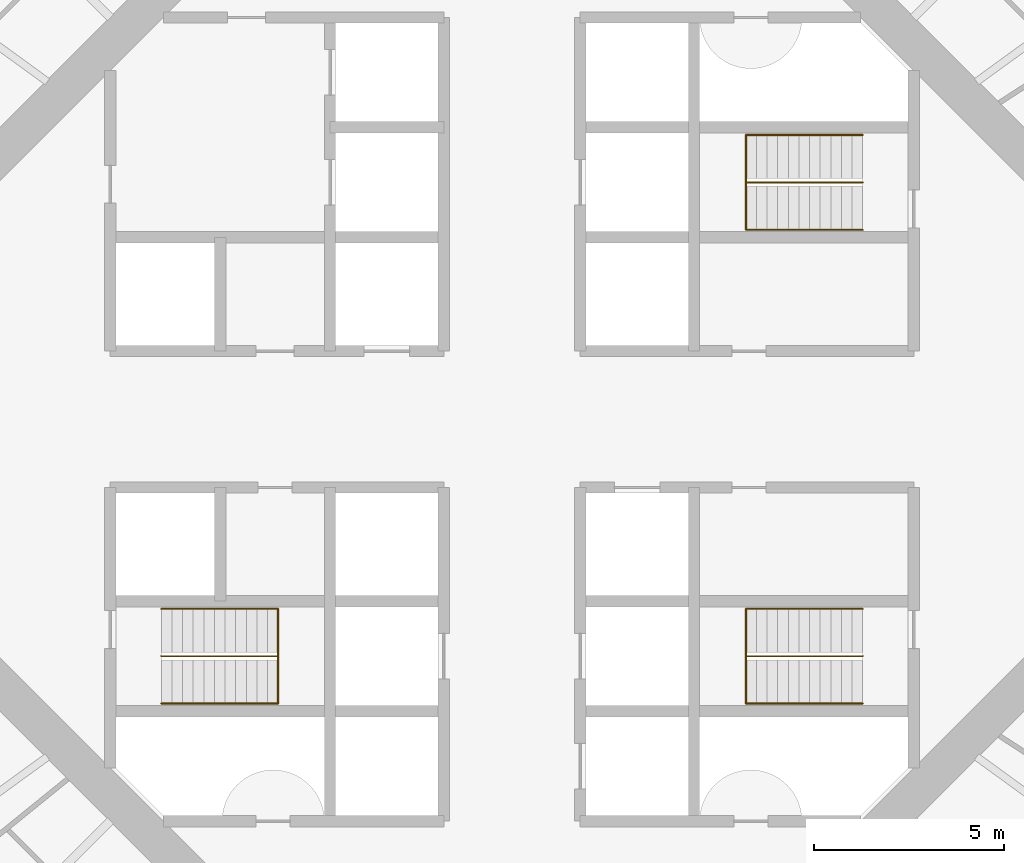
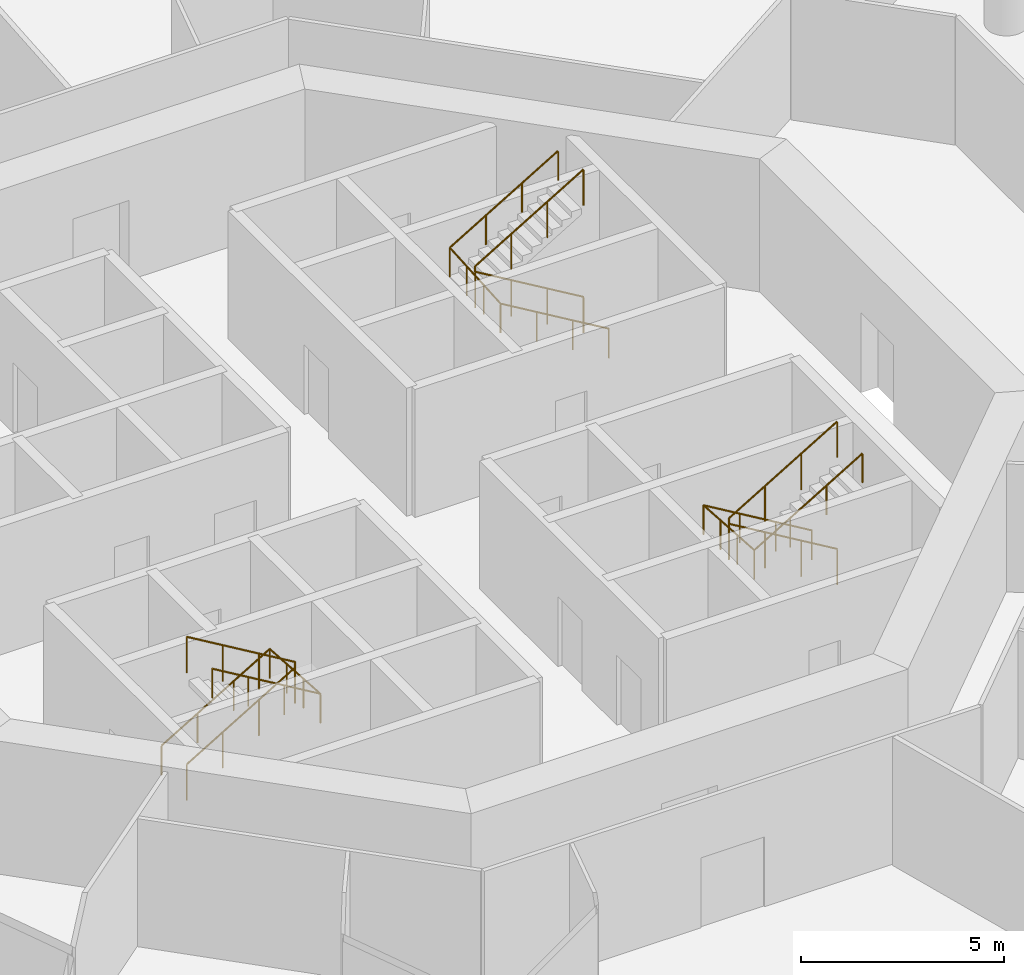
# One storey, part 13 of 13: 6 railings.
"""IFC4 building model written with IfcOpenShell, lengths in metres."""

from ifc_helpers import new_model, si_unit, direction, frame, origin, origin_2d, place, context, subcontext, project, spatial, circle, extrude, material, type_object, element, save


model = new_model("IFC4")

# Units and contexts
model_context = context("Model", 3, precision=1e-05, world=origin(), true_north=direction((0.0, 1.0)))
body_context = subcontext(model_context, "Body", "Model", "MODEL_VIEW")
ifc_project = project(units=[si_unit("LENGTHUNIT", "METRE"), si_unit("AREAUNIT", "SQUARE_METRE"), si_unit("VOLUMEUNIT", "CUBIC_METRE"), si_unit("PLANEANGLEUNIT", "RADIAN"), si_unit("MASSUNIT", "GRAM", prefix="KILO")], contexts=[model_context])

# Site, building, storey
site_placement = place(None, origin())
site = spatial("IfcSite", under=ifc_project, at=site_placement, CompositionType="ELEMENT")
building_placement = place(site_placement, origin())
building = spatial("IfcBuilding", under=site, at=building_placement, Name="Entoto Ring Tower", CompositionType="ELEMENT")
storey_placement = place(building_placement, frame((0.0, 0.0, 172.0)))
storey = spatial("IfcBuildingStorey", under=building, at=storey_placement, Name="L39", CompositionType="ELEMENT", Elevation=172.0)

# Railings
ifc_material_1 = material(Name="Steel S275", Category="steel")
railing_type_1 = type_object("IfcRailingType", Name="Stair guard 1100 mm steel", PredefinedType="GUARDRAIL", material=ifc_material_1)
railing_1_placement = place(storey_placement, frame((99.25, 86.25, 0.166748046875)))
element("IfcRailing", 1, at=railing_1_placement, inside=storey, type_object=railing_type_1, Name="Guard ST1", PredefinedType="GUARDRAIL", context=body_context, shape_type="SweptSolid", body=[
    extrude(circle(Radius=0.02392578125, at=origin_2d()), frame((0.0, 0.0, 1.076171875), z_axis=(-0.859308565015, 0.0, 0.511457515432), x_axis=(0.0, -1.0, 0.0)), (0.0, 0.0, 1.0), 3.58447265625),
    extrude(circle(Radius=0.02392578125, at=origin_2d()), frame((-3.080078125, 0.0, 2.9091796875), z_axis=(0.0, 0.0, 1.0), x_axis=(1.0, 0.0, 0.0)), (0.0, 0.0, 1.0), 0.166748046875),
    extrude(circle(Radius=0.02392578125, at=origin_2d()), frame((-3.080078125, 0.0, 3.076171875), z_axis=(0.859308565015, 0.0, 0.511457515432), x_axis=(0.0, 1.0, 0.0)), (0.0, 0.0, 1.0), 3.58447265625),
    extrude(circle(Radius=0.02099609375, at=origin_2d()), origin(), (0.0, 0.0, 1.0), 1.052001953125),
    extrude(circle(Radius=0.02099609375, at=origin_2d()), frame((-1.026611328125, 0.0, 0.611083984375)), (0.0, 0.0, 1.0), 1.052001953125),
    extrude(circle(Radius=0.02099609375, at=origin_2d()), frame((-2.053466796875, 0.0, 1.22216796875)), (0.0, 0.0, 1.0), 1.052001953125),
    extrude(circle(Radius=0.02099609375, at=origin_2d()), frame((-3.080078125, 0.0, 1.833251953125)), (0.0, 0.0, 1.0), 1.052001953125),
    extrude(circle(Radius=0.02099609375, at=origin_2d()), frame((-3.080078125, 0.0, 2.0)), (0.0, 0.0, 1.0), 1.052001953125),
    extrude(circle(Radius=0.02099609375, at=origin_2d()), frame((-2.053466796875, 0.0, 2.611083984375)), (0.0, 0.0, 1.0), 1.052001953125),
    extrude(circle(Radius=0.02099609375, at=origin_2d()), frame((-1.026611328125, 0.0, 3.22216796875)), (0.0, 0.0, 1.0), 1.052001953125),
    extrude(circle(Radius=0.02099609375, at=origin_2d()), frame((0.0, 0.0, 3.833251953125)), (0.0, 0.0, 1.0), 1.052001953125),
])
railing_2_placement = place(storey_placement, frame((80.75, 73.75, 0.166748046875)))
element("IfcRailing", 2, at=railing_2_placement, inside=storey, type_object=railing_type_1, Name="Guard ST2", PredefinedType="GUARDRAIL", context=body_context, shape_type="SweptSolid", body=[
    extrude(circle(Radius=0.02392578125, at=origin_2d()), frame((0.0, 0.0, 1.076171875), z_axis=(0.859308565015, 0.0, 0.511457515432), x_axis=(0.0, 1.0, 0.0)), (0.0, 0.0, 1.0), 3.58447265625),
    extrude(circle(Radius=0.02392578125, at=origin_2d()), frame((3.080078125, 0.0, 2.9091796875), z_axis=(0.0, 0.0, 1.0), x_axis=(1.0, 0.0, 0.0)), (0.0, 0.0, 1.0), 0.166748046875),
    extrude(circle(Radius=0.02392578125, at=origin_2d()), frame((3.080078125, 0.0, 3.076171875), z_axis=(-0.859308565015, 0.0, 0.511457515432), x_axis=(0.0, -1.0, 0.0)), (0.0, 0.0, 1.0), 3.58447265625),
    extrude(circle(Radius=0.02099609375, at=origin_2d()), origin(), (0.0, 0.0, 1.0), 1.052001953125),
    extrude(circle(Radius=0.02099609375, at=origin_2d()), frame((1.026611328125, 0.0, 0.611083984375)), (0.0, 0.0, 1.0), 1.052001953125),
    extrude(circle(Radius=0.02099609375, at=origin_2d()), frame((2.053466796875, 0.0, 1.22216796875)), (0.0, 0.0, 1.0), 1.052001953125),
    extrude(circle(Radius=0.02099609375, at=origin_2d()), frame((3.080078125, 0.0, 1.833251953125)), (0.0, 0.0, 1.0), 1.052001953125),
    extrude(circle(Radius=0.02099609375, at=origin_2d()), frame((3.080078125, 0.0, 2.0)), (0.0, 0.0, 1.0), 1.052001953125),
    extrude(circle(Radius=0.02099609375, at=origin_2d()), frame((2.053466796875, 0.0, 2.611083984375)), (0.0, 0.0, 1.0), 1.052001953125),
    extrude(circle(Radius=0.02099609375, at=origin_2d()), frame((1.026611328125, 0.0, 3.22216796875)), (0.0, 0.0, 1.0), 1.052001953125),
    extrude(circle(Radius=0.02099609375, at=origin_2d()), frame((0.0, 0.0, 3.833251953125)), (0.0, 0.0, 1.0), 1.052001953125),
])
railing_3_placement = place(storey_placement, frame((99.25, 73.75, 0.166748046875)))
element("IfcRailing", 3, at=railing_3_placement, inside=storey, type_object=railing_type_1, Name="Guard ST3", PredefinedType="GUARDRAIL", context=body_context, shape_type="SweptSolid", body=[
    extrude(circle(Radius=0.02392578125, at=origin_2d()), frame((0.0, 0.0, 1.076171875), z_axis=(-0.859308565015, 0.0, 0.511457515432), x_axis=(0.0, -1.0, 0.0)), (0.0, 0.0, 1.0), 3.58447265625),
    extrude(circle(Radius=0.02392578125, at=origin_2d()), frame((-3.080078125, 0.0, 2.9091796875), z_axis=(0.0, 0.0, 1.0), x_axis=(1.0, 0.0, 0.0)), (0.0, 0.0, 1.0), 0.166748046875),
    extrude(circle(Radius=0.02392578125, at=origin_2d()), frame((-3.080078125, 0.0, 3.076171875), z_axis=(0.859308565015, 0.0, 0.511457515432), x_axis=(0.0, 1.0, 0.0)), (0.0, 0.0, 1.0), 3.58447265625),
    extrude(circle(Radius=0.02099609375, at=origin_2d()), origin(), (0.0, 0.0, 1.0), 1.052001953125),
    extrude(circle(Radius=0.02099609375, at=origin_2d()), frame((-1.026611328125, 0.0, 0.611083984375)), (0.0, 0.0, 1.0), 1.052001953125),
    extrude(circle(Radius=0.02099609375, at=origin_2d()), frame((-2.053466796875, 0.0, 1.22216796875)), (0.0, 0.0, 1.0), 1.052001953125),
    extrude(circle(Radius=0.02099609375, at=origin_2d()), frame((-3.080078125, 0.0, 1.833251953125)), (0.0, 0.0, 1.0), 1.052001953125),
    extrude(circle(Radius=0.02099609375, at=origin_2d()), frame((-3.080078125, 0.0, 2.0)), (0.0, 0.0, 1.0), 1.052001953125),
    extrude(circle(Radius=0.02099609375, at=origin_2d()), frame((-2.053466796875, 0.0, 2.611083984375)), (0.0, 0.0, 1.0), 1.052001953125),
    extrude(circle(Radius=0.02099609375, at=origin_2d()), frame((-1.026611328125, 0.0, 3.22216796875)), (0.0, 0.0, 1.0), 1.052001953125),
    extrude(circle(Radius=0.02099609375, at=origin_2d()), frame((0.0, 0.0, 3.833251953125)), (0.0, 0.0, 1.0), 1.052001953125),
])
ifc_material_2 = material(Name="Steel S275", Category="steel")
railing_type_2 = type_object("IfcRailingType", Name="Stair handrail 900 mm steel", PredefinedType="HANDRAIL", material=ifc_material_2)
railing_4_placement = place(storey_placement, frame((99.25, 85.0, 0.166748046875)))
element("IfcRailing", 4, at=railing_4_placement, inside=storey, type_object=railing_type_2, Name="Handrail ST1", PredefinedType="HANDRAIL", context=body_context, shape_type="SweptSolid", body=[
    extrude(circle(Radius=0.02392578125, at=origin_2d()), frame((0.0, 0.0, 0.8759765625), z_axis=(-0.859308565015, 0.0, 0.511457515432), x_axis=(0.0, -1.0, 0.0)), (0.0, 0.0, 1.0), 3.58447265625),
    extrude(circle(Radius=0.02392578125, at=origin_2d()), frame((-3.080078125, 0.0, 2.708984375), z_axis=(0.0, 0.997783001586, 0.066551346688), x_axis=(-1.0, 0.0, 0.0)), (0.0, 0.0, 1.0), 2.505615234375),
    extrude(circle(Radius=0.02392578125, at=origin_2d()), frame((-3.080078125, 2.5, 2.8759765625), z_axis=(0.859308565015, 0.0, 0.511457515432), x_axis=(0.0, 1.0, 0.0)), (0.0, 0.0, 1.0), 3.58447265625),
    extrude(circle(Radius=0.02099609375, at=origin_2d()), origin(), (0.0, 0.0, 1.0), 0.851806640625),
    extrude(circle(Radius=0.02099609375, at=origin_2d()), frame((-1.026611328125, 0.0, 0.611083984375)), (0.0, 0.0, 1.0), 0.851806640625),
    extrude(circle(Radius=0.02099609375, at=origin_2d()), frame((-2.053466796875, 0.0, 1.22216796875)), (0.0, 0.0, 1.0), 0.851806640625),
    extrude(circle(Radius=0.02099609375, at=origin_2d()), frame((-3.080078125, 0.0, 1.833251953125)), (0.0, 0.0, 1.0), 0.851806640625),
    extrude(circle(Radius=0.02099609375, at=origin_2d()), frame((-3.080078125, 0.833251953125, 1.888916015625)), (0.0, 0.0, 1.0), 0.851806640625),
    extrude(circle(Radius=0.02099609375, at=origin_2d()), frame((-3.080078125, 1.666748046875, 1.9443359375)), (0.0, 0.0, 1.0), 0.851806640625),
    extrude(circle(Radius=0.02099609375, at=origin_2d()), frame((-3.080078125, 2.5, 2.0)), (0.0, 0.0, 1.0), 0.851806640625),
    extrude(circle(Radius=0.02099609375, at=origin_2d()), frame((-2.053466796875, 2.5, 2.611083984375)), (0.0, 0.0, 1.0), 0.851806640625),
    extrude(circle(Radius=0.02099609375, at=origin_2d()), frame((-1.026611328125, 2.5, 3.22216796875)), (0.0, 0.0, 1.0), 0.851806640625),
    extrude(circle(Radius=0.02099609375, at=origin_2d()), frame((0.0, 2.5, 3.833251953125)), (0.0, 0.0, 1.0), 0.851806640625),
])
railing_5_placement = place(storey_placement, frame((80.75, 75.0, 0.166748046875)))
element("IfcRailing", 5, at=railing_5_placement, inside=storey, type_object=railing_type_2, Name="Handrail ST2", PredefinedType="HANDRAIL", context=body_context, shape_type="SweptSolid", body=[
    extrude(circle(Radius=0.02392578125, at=origin_2d()), frame((0.0, 0.0, 0.8759765625), z_axis=(0.859308565015, 0.0, 0.511457515432), x_axis=(0.0, 1.0, 0.0)), (0.0, 0.0, 1.0), 3.58447265625),
    extrude(circle(Radius=0.02392578125, at=origin_2d()), frame((3.080078125, 0.0, 2.708984375), z_axis=(0.0, -0.997783001586, 0.066551346688), x_axis=(1.0, 0.0, 0.0)), (0.0, 0.0, 1.0), 2.505615234375),
    extrude(circle(Radius=0.02392578125, at=origin_2d()), frame((3.080078125, -2.5, 2.8759765625), z_axis=(-0.859308565015, 0.0, 0.511457515432), x_axis=(0.0, -1.0, 0.0)), (0.0, 0.0, 1.0), 3.58447265625),
    extrude(circle(Radius=0.02099609375, at=origin_2d()), origin(), (0.0, 0.0, 1.0), 0.851806640625),
    extrude(circle(Radius=0.02099609375, at=origin_2d()), frame((1.026611328125, 0.0, 0.611083984375)), (0.0, 0.0, 1.0), 0.851806640625),
    extrude(circle(Radius=0.02099609375, at=origin_2d()), frame((2.053466796875, 0.0, 1.22216796875)), (0.0, 0.0, 1.0), 0.851806640625),
    extrude(circle(Radius=0.02099609375, at=origin_2d()), frame((3.080078125, 0.0, 1.833251953125)), (0.0, 0.0, 1.0), 0.851806640625),
    extrude(circle(Radius=0.02099609375, at=origin_2d()), frame((3.080078125, -0.833251953125, 1.888916015625)), (0.0, 0.0, 1.0), 0.851806640625),
    extrude(circle(Radius=0.02099609375, at=origin_2d()), frame((3.080078125, -1.666748046875, 1.9443359375)), (0.0, 0.0, 1.0), 0.851806640625),
    extrude(circle(Radius=0.02099609375, at=origin_2d()), frame((3.080078125, -2.5, 2.0)), (0.0, 0.0, 1.0), 0.851806640625),
    extrude(circle(Radius=0.02099609375, at=origin_2d()), frame((2.053466796875, -2.5, 2.611083984375)), (0.0, 0.0, 1.0), 0.851806640625),
    extrude(circle(Radius=0.02099609375, at=origin_2d()), frame((1.026611328125, -2.5, 3.22216796875)), (0.0, 0.0, 1.0), 0.851806640625),
    extrude(circle(Radius=0.02099609375, at=origin_2d()), frame((0.0, -2.5, 3.833251953125)), (0.0, 0.0, 1.0), 0.851806640625),
])
railing_6_placement = place(storey_placement, frame((99.25, 75.0, 0.166748046875)))
element("IfcRailing", 6, at=railing_6_placement, inside=storey, type_object=railing_type_2, Name="Handrail ST3", PredefinedType="HANDRAIL", context=body_context, shape_type="SweptSolid", body=[
    extrude(circle(Radius=0.02392578125, at=origin_2d()), frame((0.0, 0.0, 0.8759765625), z_axis=(-0.859308565015, 0.0, 0.511457515432), x_axis=(0.0, -1.0, 0.0)), (0.0, 0.0, 1.0), 3.58447265625),
    extrude(circle(Radius=0.02392578125, at=origin_2d()), frame((-3.080078125, 0.0, 2.708984375), z_axis=(0.0, -0.997783001586, 0.066551346688), x_axis=(1.0, 0.0, 0.0)), (0.0, 0.0, 1.0), 2.505615234375),
    extrude(circle(Radius=0.02392578125, at=origin_2d()), frame((-3.080078125, -2.5, 2.8759765625), z_axis=(0.859308565015, 0.0, 0.511457515432), x_axis=(0.0, 1.0, 0.0)), (0.0, 0.0, 1.0), 3.58447265625),
    extrude(circle(Radius=0.02099609375, at=origin_2d()), origin(), (0.0, 0.0, 1.0), 0.851806640625),
    extrude(circle(Radius=0.02099609375, at=origin_2d()), frame((-1.026611328125, 0.0, 0.611083984375)), (0.0, 0.0, 1.0), 0.851806640625),
    extrude(circle(Radius=0.02099609375, at=origin_2d()), frame((-2.053466796875, 0.0, 1.22216796875)), (0.0, 0.0, 1.0), 0.851806640625),
    extrude(circle(Radius=0.02099609375, at=origin_2d()), frame((-3.080078125, 0.0, 1.833251953125)), (0.0, 0.0, 1.0), 0.851806640625),
    extrude(circle(Radius=0.02099609375, at=origin_2d()), frame((-3.080078125, -0.833251953125, 1.888916015625)), (0.0, 0.0, 1.0), 0.851806640625),
    extrude(circle(Radius=0.02099609375, at=origin_2d()), frame((-3.080078125, -1.666748046875, 1.9443359375)), (0.0, 0.0, 1.0), 0.851806640625),
    extrude(circle(Radius=0.02099609375, at=origin_2d()), frame((-3.080078125, -2.5, 2.0)), (0.0, 0.0, 1.0), 0.851806640625),
    extrude(circle(Radius=0.02099609375, at=origin_2d()), frame((-2.053466796875, -2.5, 2.611083984375)), (0.0, 0.0, 1.0), 0.851806640625),
    extrude(circle(Radius=0.02099609375, at=origin_2d()), frame((-1.026611328125, -2.5, 3.22216796875)), (0.0, 0.0, 1.0), 0.851806640625),
    extrude(circle(Radius=0.02099609375, at=origin_2d()), frame((0.0, -2.5, 3.833251953125)), (0.0, 0.0, 1.0), 0.851806640625),
])

save(model, "model.ifc")
